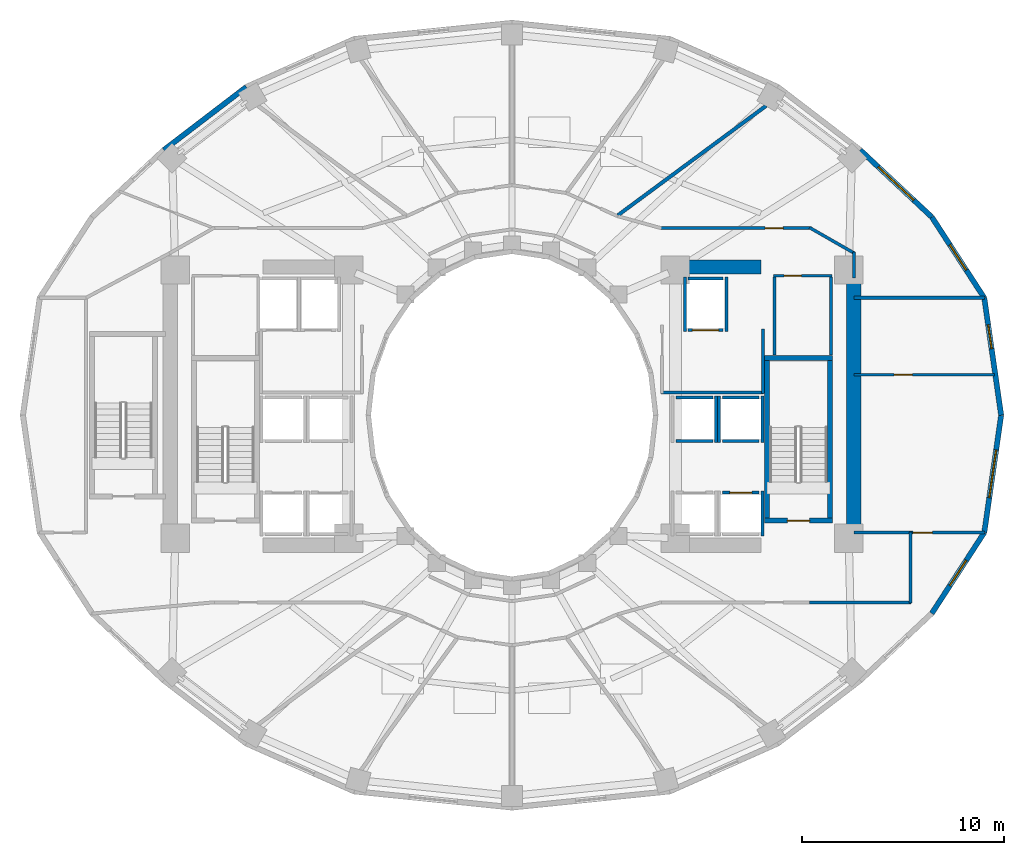
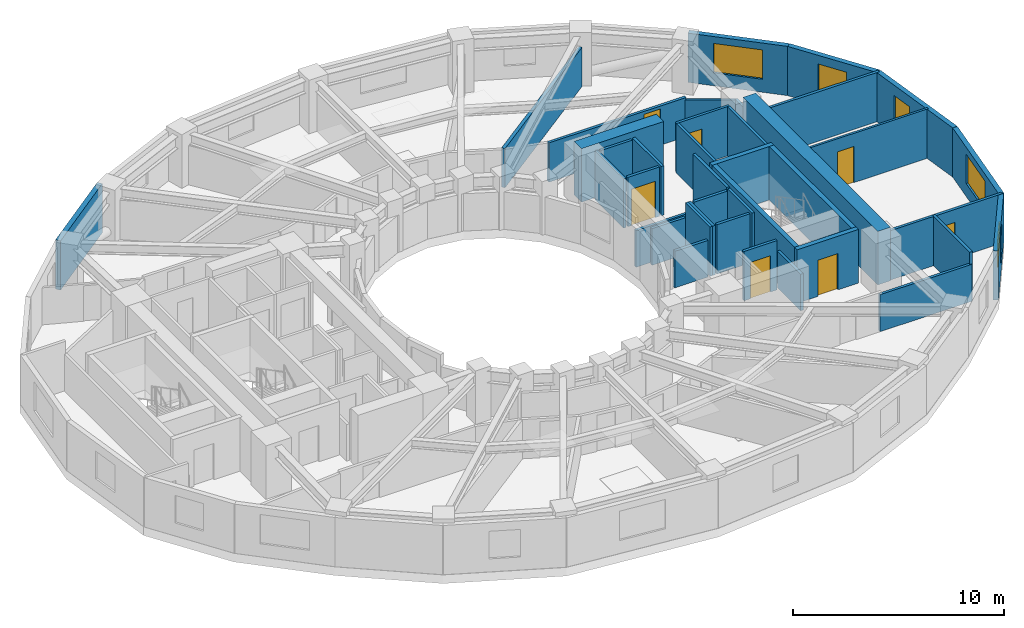
# One storey, part 6 of 9: 39 walls, 7 doors, 5 windows, 12 openings.
"""IFC4 building model written with IfcOpenShell, lengths in metres."""

from ifc_helpers import new_model, si_unit, direction, frame, frame_2d, origin, place, context, subcontext, project, spatial, rectangle, extrude, material, layer, layer_set, type_object, element, fill, save


model = new_model("IFC4")

# Units and contexts
model_context = context("Model", 3, precision=1e-05, world=origin(), true_north=direction((0.0, 1.0)))
body_context = subcontext(model_context, "Body", "Model", "MODEL_VIEW")
ifc_project = project(units=[si_unit("LENGTHUNIT", "METRE"), si_unit("AREAUNIT", "SQUARE_METRE"), si_unit("VOLUMEUNIT", "CUBIC_METRE"), si_unit("PLANEANGLEUNIT", "RADIAN"), si_unit("MASSUNIT", "GRAM", prefix="KILO")], contexts=[model_context])

# Site, building, storey
site_placement = place(None, origin())
site = spatial("IfcSite", under=ifc_project, at=site_placement, CompositionType="ELEMENT")
building_placement = place(site_placement, origin())
building = spatial("IfcBuilding", under=site, at=building_placement, Name="Solvane Sanctuary Tower", CompositionType="ELEMENT")
storey_placement = place(building_placement, frame((0.0, 0.0, 104.199951171875)))
storey = spatial("IfcBuildingStorey", under=building, at=storey_placement, Name="L31", CompositionType="ELEMENT", Elevation=104.199951171875)

# Walls
ifc_material_1 = material(Name="Concrete C60/75", Category="concrete")
ifc_layer_1 = layer(ifc_material_1, 0.699951171875, Name="Concrete C60/75")
ifc_layer_set_1 = layer_set([ifc_layer_1], Name="Concrete C60/75")
wall_type_1 = type_object("IfcWallType", Name="Wall W-CORE-700", PredefinedType="SHEAR", material=ifc_layer_set_1)
wall_1_placement = place(storey_placement, frame((48.949951171875, 17.050048828125, 0.0), z_axis=(0.0, 0.0, 1.0), x_axis=(0.0, 1.0, 0.0)))
element("IfcWall", 1, at=wall_1_placement, inside=storey, type_object=wall_type_1, Name="L31 Core Shear Wall EC-E", PredefinedType="SHEAR", context=body_context, shape_type="SweptSolid", body=[
    extrude(rectangle(XDim=12.800048828125, YDim=0.699951171875, at=frame_2d((6.39990234375, 0.0))), origin(), (0.0, 0.0, 1.0), 3.10009765625),
])
wall_2_placement = place(storey_placement, frame((39.85009765625, 30.35009765625, 0.0), z_axis=(0.0, 0.0, 1.0), x_axis=(1.0, 0.0, 0.0)))
element("IfcWall", 2, at=wall_2_placement, inside=storey, type_object=wall_type_1, Name="L31 Core Shear Wall EC-N", PredefinedType="SHEAR", context=body_context, shape_type="SweptSolid", body=[
    extrude(rectangle(XDim=4.5, YDim=0.699951171875, at=frame_2d((2.25, 0.0))), origin(), (0.0, 0.0, 1.0), 3.10009765625),
])
ifc_material_2 = material(Name="Acoustic Gypsum Partition Board")
ifc_layer_2 = layer(ifc_material_2, 0.14990234375, Name="Acoustic Gypsum Partition Board")
ifc_layer_set_2 = layer_set([ifc_layer_2], Name="Acoustic Gypsum Partition Board")
wall_type_2 = type_object("IfcWallType", Name="Wall W-CORR-150", PredefinedType="PARTITIONING", material=ifc_layer_set_2)
wall_3_placement = place(storey_placement, frame((39.39990234375, 24.1201171875, 0.0), z_axis=(0.0, 0.0, 1.0), x_axis=(1.0, 0.0, 0.0)))
element("IfcWall", 3, at=wall_3_placement, inside=storey, type_object=wall_type_2, Name="L31 East Firefighting Lobby South Wall", PredefinedType="PARTITIONING", context=body_context, shape_type="SweptSolid", body=[
    extrude(rectangle(XDim=5.080078125, YDim=0.14990234375, at=frame_2d((2.5400390625, 0.0))), origin(), (0.0, 0.0, 1.0), 2.1201171875),
])
wall_4_placement = place(storey_placement, frame((44.449951171875, 24.080078125, 0.0), z_axis=(0.0, 0.0, 1.0), x_axis=(0.0, 1.0, 0.0)))
element("IfcWall", 4, at=wall_4_placement, inside=storey, type_object=wall_type_2, Name="L31 East Firefighting Lobby East Wall", PredefinedType="PARTITIONING", context=body_context, shape_type="SweptSolid", body=[
    extrude(rectangle(XDim=3.199951171875, YDim=0.14990234375, at=frame_2d((1.60009765625, 0.0))), origin(), (0.0, 0.0, 1.0), 2.85498046875),
])

# Wall, opening, door
wall_5_placement = place(storey_placement, frame((48.949951171875, 17.1748046875, 0.0), z_axis=(0.0, 0.0, 1.0), x_axis=(1.0, 0.0, 0.0)))
wall_5 = element("IfcWall", 5, at=wall_5_placement, inside=storey, type_object=wall_type_2, Name="L31 East Shoulder South Wall", PredefinedType="PARTITIONING", context=body_context, shape_type="SweptSolid", body=[
    extrude(rectangle(XDim=6.49169921875, YDim=0.14990234375, at=frame_2d((3.245849609375, 0.0))), origin(), (0.0, 0.0, 1.0), 2.85498046875),
])
opening_1_placement = place(wall_5_placement, frame((2.947509765625, 0.0, 0.0)))
opening_1 = element("IfcOpeningElement", 6, at=opening_1_placement, cuts=wall_5, Name="Opening D-L31-08", PredefinedType="OPENING", context=body_context, shape_type="SweptSolid", body=[
    extrude(rectangle(XDim=0.949951171875, YDim=2.10009765625, at=frame_2d((0.47509765625, 1.050048828125))), frame((0.0, 0.0849609375, 0.0), z_axis=(0.0, -1.0, 0.0), x_axis=(1.0, 0.0, 0.0)), (0.0, 0.0, 1.0), 0.169921875),
])
ifc_material_3 = material(Name="Engineered Tropical Hardwood", Category="wood")
door_type_1 = type_object("IfcDoorType", Name="Door D-ROOM-950", OperationType="NOTDEFINED", PredefinedType="DOOR", material=ifc_material_3)
door_1_placement = place(opening_1_placement, origin())
door_1 = element("IfcDoor", 7, at=door_1_placement, inside=storey, type_object=door_type_1, Name="L31 East Shoulder South Door", OperationType="SINGLE_SWING_LEFT", OverallHeight=2.10009765625, OverallWidth=0.949951171875, PredefinedType="DOOR", context=body_context, shape_type="SweptSolid", body=[
    extrude(rectangle(XDim=0.949951171875, YDim=2.10009765625, at=frame_2d((0.47509765625, 1.050048828125))), frame((0.0, 0.02490234375, 0.0), z_axis=(0.0, -1.0, 0.0), x_axis=(1.0, 0.0, 0.0)), (0.0, 0.0, 1.0), 0.050048828125),
])
fill(opening_1, door_1)

# Walls
wall_6_placement = place(storey_placement, frame((48.949951171875, 28.8251953125, 0.0), z_axis=(0.0, 0.0, 1.0), x_axis=(1.0, 0.0, 0.0)))
element("IfcWall", 8, at=wall_6_placement, inside=storey, type_object=wall_type_2, Name="L31 East Shoulder North Wall", PredefinedType="PARTITIONING", context=body_context, shape_type="SweptSolid", body=[
    extrude(rectangle(XDim=6.49169921875, YDim=0.14990234375, at=frame_2d((3.245849609375, 0.0))), origin(), (0.0, 0.0, 1.0), 2.85498046875),
])
wall_7_placement = place(storey_placement, frame((48.949951171875, 29.800048828125, 0.0), z_axis=(0.0, 0.0, 1.0), x_axis=(0.0, 1.0, 0.0)))
element("IfcWall", 9, at=wall_7_placement, inside=storey, type_object=wall_type_2, Name="L31 NE Corner Closer 1", PredefinedType="PARTITIONING", context=body_context, shape_type="SweptSolid", body=[
    extrude(rectangle(XDim=1.2900390625, YDim=0.14990234375, at=frame_2d((0.64501953125, 0.0))), origin(), (0.0, 0.0, 1.0), 2.14208984375),
])

# Wall, opening, door
wall_8_placement = place(storey_placement, frame((39.330078125, 32.280029296875, 0.0), z_axis=(0.0, 0.0, 1.0), x_axis=(1.0, 0.0, 0.0)))
wall_8 = element("IfcWall", 10, at=wall_8_placement, inside=storey, type_object=wall_type_2, Name="L31 NE Corner Corridor Wall", PredefinedType="PARTITIONING", context=body_context, shape_type="SweptSolid", body=[
    extrude(rectangle(XDim=7.52001953125, YDim=0.14990234375, at=frame_2d((3.760009765625, 0.0))), origin(), (0.0, 0.0, 1.0), 2.27197265625),
])
opening_2_placement = place(wall_8_placement, frame((5.219970703125, 0.0, 0.0)))
opening_2 = element("IfcOpeningElement", 11, at=opening_2_placement, cuts=wall_8, Name="Opening D-L31-11", PredefinedType="OPENING", context=body_context, shape_type="SweptSolid", body=[
    extrude(rectangle(XDim=0.89990234375, YDim=2.10009765625, at=frame_2d((0.449951171875, 1.050048828125))), frame((0.0, 0.0849609375, 0.0), z_axis=(0.0, -1.0, 0.0), x_axis=(1.0, 0.0, 0.0)), (0.0, 0.0, 1.0), 0.169921875),
])
door_type_2 = type_object("IfcDoorType", Name="Door D-WET-900", OperationType="NOTDEFINED", PredefinedType="DOOR", material=ifc_material_3)
door_2_placement = place(opening_2_placement, origin())
door_2 = element("IfcDoor", 12, at=door_2_placement, inside=storey, type_object=door_type_2, Name="L31 NE Corner Salon Door", OperationType="SINGLE_SWING_RIGHT", OverallHeight=2.10009765625, OverallWidth=0.89990234375, PredefinedType="DOOR", context=body_context, shape_type="SweptSolid", body=[
    extrude(rectangle(XDim=0.89990234375, YDim=2.10009765625, at=frame_2d((0.449951171875, 1.050048828125))), frame((0.0, 0.02490234375, 0.0), z_axis=(0.0, -1.0, 0.0), x_axis=(1.0, 0.0, 0.0)), (0.0, 0.0, 1.0), 0.050048828125),
])
fill(opening_2, door_2)

# Walls
wall_9_placement = place(storey_placement, frame((46.756591796875, 32.3046875, 0.0), z_axis=(0.0, 0.0, 1.0), x_axis=(0.867991349648, -0.496579315857, 0.0)))
element("IfcWall", 13, at=wall_9_placement, inside=storey, type_object=wall_type_2, Name="L31 NE Corner Wing Wall", PredefinedType="PARTITIONING", context=body_context, shape_type="SweptSolid", body=[
    extrude(rectangle(XDim=2.56689453125, YDim=0.14990234375, at=frame_2d((1.283447265625, 0.0))), origin(), (0.0, 0.0, 1.0), 2.14208984375),
])
wall_10_placement = place(storey_placement, frame((51.760009765625, 13.679931640625, 0.0), z_axis=(0.0, 0.0, 1.0), x_axis=(0.0, 1.0, 0.0)))
element("IfcWall", 14, at=wall_10_placement, inside=storey, type_object=wall_type_2, Name="L31 SE Corner Closer 1", PredefinedType="PARTITIONING", context=body_context, shape_type="SweptSolid", body=[
    extrude(rectangle(XDim=3.534912109375, YDim=0.14990234375, at=frame_2d((1.767578125, 0.0))), origin(), (0.0, 0.0, 1.0), 2.85498046875),
])
wall_11_placement = place(storey_placement, frame((46.75, 13.719970703125, 0.0), z_axis=(0.0, 0.0, 1.0), x_axis=(1.0, 0.0, 0.0)))
element("IfcWall", 15, at=wall_11_placement, inside=storey, type_object=wall_type_2, Name="L31 SE Corner Wing Wall", PredefinedType="PARTITIONING", context=body_context, shape_type="SweptSolid", body=[
    extrude(rectangle(XDim=5.050048828125, YDim=0.14990234375, at=frame_2d((2.52490234375, 0.0))), origin(), (0.0, 0.0, 1.0), 2.14208984375),
])

# Wall, opening, window
ifc_material_4 = material(Name="Precast concrete C40/50", Category="concrete")
ifc_layer_3 = layer(ifc_material_4, 0.260009765625, Name="Precast concrete C40/50")
ifc_layer_set_3 = layer_set([ifc_layer_3], Name="Precast concrete C40/50")
wall_type_3 = type_object("IfcWallType", Name="Wall W-EXT-250", PredefinedType="STANDARD", material=ifc_layer_set_3)
wall_12_placement = place(storey_placement, frame((56.260009765625, 23.0, 0.0), z_axis=(0.0, 0.0, 1.0), x_axis=(-0.142572472068, 0.98978436551, 0.0)))
wall_12 = element("IfcWall", 16, at=wall_12_placement, inside=storey, type_object=wall_type_3, Name="L31 Ceramic-Printed Facade Wall 00", PredefinedType="STANDARD", context=body_context, shape_type="SweptSolid", body=[
    extrude(rectangle(XDim=5.878662109375, YDim=0.260009765625, at=frame_2d((2.939453125, 0.0))), origin(), (0.0, 0.0, 1.0), 2.85009765625),
])
opening_3_placement = place(wall_12_placement, frame((3.32470703125, 0.0, 0.75)))
opening_3 = element("IfcOpeningElement", 17, at=opening_3_placement, cuts=wall_12, Name="Opening WN-OPER-1200", PredefinedType="OPENING", context=body_context, shape_type="SweptSolid", body=[
    extrude(rectangle(XDim=1.199951171875, YDim=1.5, at=frame_2d((0.60009765625, 0.75))), frame((0.0, 0.139892578125, 0.0), z_axis=(0.0, -1.0, 0.0), x_axis=(1.0, 0.0, 0.0)), (0.0, 0.0, 1.0), 0.280029296875),
])
ifc_material_5 = material(Name="Dark Ceramic-Fritted Low-E Glass", Category="glass")
window_type_1 = type_object("IfcWindowType", Name="Window WN-OPER-1200", PartitioningType="SINGLE_PANEL", PredefinedType="WINDOW", material=ifc_material_5)
window_1_placement = place(opening_3_placement, origin())
window_1 = element("IfcWindow", 18, at=window_1_placement, inside=storey, type_object=window_type_1, Name="L31 Operable Facade Window 00", OverallHeight=1.5, OverallWidth=1.199951171875, PartitioningType="SINGLE_PANEL", PredefinedType="WINDOW", context=body_context, shape_type="SweptSolid", body=[
    extrude(rectangle(XDim=1.199951171875, YDim=1.5, at=frame_2d((0.60009765625, 0.75))), frame((0.0, 0.030029296875, 0.0), z_axis=(0.0, -1.0, 0.0), x_axis=(1.0, 0.0, 0.0)), (0.0, 0.0, 1.0), 0.06005859375),
])
fill(opening_3, window_1)

wall_13_placement = place(storey_placement, frame((55.421875, 28.818603515625, 0.0), z_axis=(0.0, 0.0, 1.0), x_axis=(-0.544388392991, 0.838833283541, 0.0)))
wall_13 = element("IfcWall", 19, at=wall_13_placement, inside=storey, type_object=wall_type_3, Name="L31 Ceramic-Printed Facade Wall 01", PredefinedType="STANDARD", context=body_context, shape_type="SweptSolid", body=[
    extrude(rectangle(XDim=4.7783203125, YDim=0.260009765625, at=frame_2d((2.38916015625, 0.0))), origin(), (0.0, 0.0, 1.0), 2.85009765625),
])
opening_4_placement = place(wall_13_placement, frame((1.63916015625, 0.0, 0.75)))
opening_4 = element("IfcOpeningElement", 20, at=opening_4_placement, cuts=wall_13, Name="Opening WN-OPER-1500", PredefinedType="OPENING", context=body_context, shape_type="SweptSolid", body=[
    extrude(rectangle(XDim=1.5, YDim=1.60009765625, at=frame_2d((0.75, 0.800048828125))), frame((0.0, 0.139892578125, 0.0), z_axis=(0.0, -1.0, 0.0), x_axis=(1.0, 0.0, 0.0)), (0.0, 0.0, 1.0), 0.280029296875),
])
window_type_2 = type_object("IfcWindowType", Name="Window WN-OPER-1500", PartitioningType="SINGLE_PANEL", PredefinedType="WINDOW", material=ifc_material_5)
window_2_placement = place(opening_4_placement, origin())
window_2 = element("IfcWindow", 21, at=window_2_placement, inside=storey, type_object=window_type_2, Name="L31 Operable Facade Window 01", OverallHeight=1.60009765625, OverallWidth=1.5, PartitioningType="SINGLE_PANEL", PredefinedType="WINDOW", context=body_context, shape_type="SweptSolid", body=[
    extrude(rectangle(XDim=1.5, YDim=1.60009765625, at=frame_2d((0.75, 0.800048828125))), frame((0.0, 0.030029296875, 0.0), z_axis=(0.0, -1.0, 0.0), x_axis=(1.0, 0.0, 0.0)), (0.0, 0.0, 1.0), 0.06005859375),
])
fill(opening_4, window_2)

wall_14_placement = place(storey_placement, frame((52.820556640625, 32.826904296875, 0.0), z_axis=(0.0, 0.0, 1.0), x_axis=(-0.730162452258, 0.68327358599, 0.0)))
wall_14 = element("IfcWall", 22, at=wall_14_placement, inside=storey, type_object=wall_type_3, Name="L31 Ceramic-Printed Facade Wall 02", PredefinedType="STANDARD", context=body_context, shape_type="SweptSolid", body=[
    extrude(rectangle(XDim=4.868408203125, YDim=0.260009765625, at=frame_2d((2.43408203125, 0.0))), origin(), (0.0, 0.0, 1.0), 2.85009765625),
])
opening_5_placement = place(wall_14_placement, frame((1.234130859375, 0.0, 0.75)))
opening_5 = element("IfcOpeningElement", 23, at=opening_5_placement, cuts=wall_14, Name="Opening WN-RIB-2400", PredefinedType="OPENING", context=body_context, shape_type="SweptSolid", body=[
    extrude(rectangle(XDim=2.39990234375, YDim=1.699951171875, at=frame_2d((1.199951171875, 0.85009765625))), frame((0.0, 0.139892578125, 0.0), z_axis=(0.0, -1.0, 0.0), x_axis=(1.0, 0.0, 0.0)), (0.0, 0.0, 1.0), 0.280029296875),
])
window_type_3 = type_object("IfcWindowType", Name="Window WN-RIB-2400", PartitioningType="SINGLE_PANEL", PredefinedType="WINDOW", material=ifc_material_5)
window_3_placement = place(opening_5_placement, origin())
window_3 = element("IfcWindow", 24, at=window_3_placement, inside=storey, type_object=window_type_3, Name="L31 Operable Facade Window 02", OverallHeight=1.699951171875, OverallWidth=2.39990234375, PartitioningType="SINGLE_PANEL", PredefinedType="WINDOW", context=body_context, shape_type="SweptSolid", body=[
    extrude(rectangle(XDim=2.39990234375, YDim=1.699951171875, at=frame_2d((1.199951171875, 0.85009765625))), frame((0.0, 0.030029296875, 0.0), z_axis=(0.0, -1.0, 0.0), x_axis=(1.0, 0.0, 0.0)), (0.0, 0.0, 1.0), 0.06005859375),
])
fill(opening_5, window_3)

# Wall
wall_15_placement = place(storey_placement, frame((18.82666015625, 39.278076171875, 0.0), z_axis=(0.0, 0.0, 1.0), x_axis=(-0.794809810864, -0.606858603427, 0.0)))
element("IfcWall", 25, at=wall_15_placement, inside=storey, type_object=wall_type_3, Name="L31 Ceramic-Printed Facade Wall 08", PredefinedType="STANDARD", context=body_context, shape_type="SweptSolid", body=[
    extrude(rectangle(XDim=5.149169921875, YDim=0.260009765625, at=frame_2d((2.57470703125, 0.0))), origin(), (0.0, 0.0, 1.0), 2.85009765625),
])

# Wall, opening, window
wall_16_placement = place(storey_placement, frame((52.820556640625, 13.173095703125, 0.0), z_axis=(0.0, 0.0, 1.0), x_axis=(0.544388392991, 0.838833283541, 0.0)))
wall_16 = element("IfcWall", 26, at=wall_16_placement, inside=storey, type_object=wall_type_3, Name="L31 Ceramic-Printed Facade Wall 22", PredefinedType="STANDARD", context=body_context, shape_type="SweptSolid", body=[
    extrude(rectangle(XDim=4.7783203125, YDim=0.260009765625, at=frame_2d((2.38916015625, 0.0))), origin(), (0.0, 0.0, 1.0), 2.85009765625),
])
opening_6_placement = place(wall_16_placement, frame((1.63916015625, 0.0, 0.75)))
opening_6 = element("IfcOpeningElement", 27, at=opening_6_placement, cuts=wall_16, Name="Opening WN-OPER-1500", PredefinedType="OPENING", context=body_context, shape_type="SweptSolid", body=[
    extrude(rectangle(XDim=1.5, YDim=1.60009765625, at=frame_2d((0.75, 0.800048828125))), frame((0.0, 0.139892578125, 0.0), z_axis=(0.0, -1.0, 0.0), x_axis=(1.0, 0.0, 0.0)), (0.0, 0.0, 1.0), 0.280029296875),
])
window_4_placement = place(opening_6_placement, origin())
window_4 = element("IfcWindow", 28, at=window_4_placement, inside=storey, type_object=window_type_2, Name="L31 Operable Facade Window 22", OverallHeight=1.60009765625, OverallWidth=1.5, PartitioningType="SINGLE_PANEL", PredefinedType="WINDOW", context=body_context, shape_type="SweptSolid", body=[
    extrude(rectangle(XDim=1.5, YDim=1.60009765625, at=frame_2d((0.75, 0.800048828125))), frame((0.0, 0.030029296875, 0.0), z_axis=(0.0, -1.0, 0.0), x_axis=(1.0, 0.0, 0.0)), (0.0, 0.0, 1.0), 0.06005859375),
])
fill(opening_6, window_4)

wall_17_placement = place(storey_placement, frame((55.421875, 17.181396484375, 0.0), z_axis=(0.0, 0.0, 1.0), x_axis=(0.142572472068, 0.98978436551, 0.0)))
wall_17 = element("IfcWall", 29, at=wall_17_placement, inside=storey, type_object=wall_type_3, Name="L31 Ceramic-Printed Facade Wall 23", PredefinedType="STANDARD", context=body_context, shape_type="SweptSolid", body=[
    extrude(rectangle(XDim=5.878662109375, YDim=0.260009765625, at=frame_2d((2.939453125, 0.0))), origin(), (0.0, 0.0, 1.0), 2.85009765625),
])
opening_7_placement = place(wall_17_placement, frame((1.739501953125, 0.0, 0.75)))
opening_7 = element("IfcOpeningElement", 30, at=opening_7_placement, cuts=wall_17, Name="Opening WN-RIB-2400", PredefinedType="OPENING", context=body_context, shape_type="SweptSolid", body=[
    extrude(rectangle(XDim=2.39990234375, YDim=1.699951171875, at=frame_2d((1.199951171875, 0.85009765625))), frame((0.0, 0.139892578125, 0.0), z_axis=(0.0, -1.0, 0.0), x_axis=(1.0, 0.0, 0.0)), (0.0, 0.0, 1.0), 0.280029296875),
])
window_5_placement = place(opening_7_placement, origin())
window_5 = element("IfcWindow", 31, at=window_5_placement, inside=storey, type_object=window_type_3, Name="L31 Operable Facade Window 23", OverallHeight=1.699951171875, OverallWidth=2.39990234375, PartitioningType="SINGLE_PANEL", PredefinedType="WINDOW", context=body_context, shape_type="SweptSolid", body=[
    extrude(rectangle(XDim=2.39990234375, YDim=1.699951171875, at=frame_2d((1.199951171875, 0.85009765625))), frame((0.0, 0.030029296875, 0.0), z_axis=(0.0, -1.0, 0.0), x_axis=(1.0, 0.0, 0.0)), (0.0, 0.0, 1.0), 0.06005859375),
])
fill(opening_7, window_5)

# Wall, opening, door
ifc_layer_4 = layer(ifc_material_2, 0.1201171875, Name="Acoustic Gypsum Partition Board")
ifc_layer_set_4 = layer_set([ifc_layer_4], Name="Acoustic Gypsum Partition Board")
wall_type_4 = type_object("IfcWallType", Name="Wall W-MOV-100", PredefinedType="MOVABLE", material=ifc_layer_set_4)
wall_18_placement = place(storey_placement, frame((48.949951171875, 25.0, 0.0), z_axis=(0.0, 0.0, 1.0), x_axis=(1.0, 0.0, 0.0)))
wall_18 = element("IfcWall", 32, at=wall_18_placement, inside=storey, type_object=wall_type_4, Name="L31 East Suite Partition", PredefinedType="MOVABLE", context=body_context, shape_type="SweptSolid", body=[
    extrude(rectangle(XDim=6.982177734375, YDim=0.1201171875, at=frame_2d((3.4912109375, 0.0))), origin(), (0.0, 0.0, 1.0), 2.85498046875),
])
opening_8_placement = place(wall_18_placement, frame((2.0, 0.0, 0.0)))
opening_8 = element("IfcOpeningElement", 33, at=opening_8_placement, cuts=wall_18, Name="Opening D-L31-09", PredefinedType="OPENING", context=body_context, shape_type="SweptSolid", body=[
    extrude(rectangle(XDim=0.89990234375, YDim=2.10009765625, at=frame_2d((0.449951171875, 1.050048828125))), frame((0.0, 0.070068359375, 0.0), z_axis=(0.0, -1.0, 0.0), x_axis=(1.0, 0.0, 0.0)), (0.0, 0.0, 1.0), 0.14013671875),
])
door_3_placement = place(opening_8_placement, origin())
door_3 = element("IfcDoor", 34, at=door_3_placement, inside=storey, type_object=door_type_2, Name="L31 East Suite Internal Door", OperationType="SINGLE_SWING_RIGHT", OverallHeight=2.10009765625, OverallWidth=0.89990234375, PredefinedType="DOOR", context=body_context, shape_type="SweptSolid", body=[
    extrude(rectangle(XDim=0.89990234375, YDim=2.10009765625, at=frame_2d((0.449951171875, 1.050048828125))), frame((0.0, 0.02490234375, 0.0), z_axis=(0.0, -1.0, 0.0), x_axis=(1.0, 0.0, 0.0)), (0.0, 0.0, 1.0), 0.050048828125),
])
fill(opening_8, door_3)

ifc_material_6 = material(Name="Concrete C50/60", Category="concrete")
ifc_layer_5 = layer(ifc_material_6, 0.14990234375, Name="Concrete C50/60")
ifc_layer_set_5 = layer_set([ifc_layer_5], Name="Concrete C50/60")
wall_type_5 = type_object("IfcWallType", Name="Wall W-SHAFT-150", PredefinedType="SOLIDWALL", material=ifc_layer_set_5)
wall_19_placement = place(storey_placement, frame((42.43994140625, 19.159912109375, 0.0), z_axis=(0.0, 0.0, 1.0), x_axis=(1.0, 0.0, 0.0)))
wall_19 = element("IfcWall", 35, at=wall_19_placement, inside=storey, type_object=wall_type_5, Name="L31 PL-4 Lift Shaft Wall F", PredefinedType="SOLIDWALL", context=body_context, shape_type="SweptSolid", body=[
    extrude(rectangle(XDim=1.820068359375, YDim=0.14990234375, at=frame_2d((0.91015625, 0.0))), origin(), (0.0, 0.0, 1.0), 2.85498046875),
])
opening_9_placement = place(wall_19_placement, frame((0.360107421875, 0.0, 0.0)))
opening_9 = element("IfcOpeningElement", 36, at=opening_9_placement, cuts=wall_19, Name="Opening LD-L31-04", PredefinedType="OPENING", context=body_context, shape_type="SweptSolid", body=[
    extrude(rectangle(XDim=1.10009765625, YDim=2.10009765625, at=frame_2d((0.550048828125, 1.050048828125))), frame((0.0, 0.0849609375, 0.0), z_axis=(0.0, -1.0, 0.0), x_axis=(1.0, 0.0, 0.0)), (0.0, 0.0, 1.0), 0.169921875),
])
ifc_material_7 = material(Name="Architectural Stainless Steel 316", Category="steel")
door_type_3 = type_object("IfcDoorType", Name="Door LD-PASS-1100", OperationType="NOTDEFINED", PredefinedType="DOOR", material=ifc_material_7)
door_4_placement = place(opening_9_placement, origin())
door_4 = element("IfcDoor", 37, at=door_4_placement, inside=storey, type_object=door_type_3, Name="L31 PL-4 Lift Landing Door", OperationType="DOUBLE_DOOR_SLIDING", OverallHeight=2.10009765625, OverallWidth=1.10009765625, PredefinedType="DOOR", context=body_context, shape_type="SweptSolid", body=[
    extrude(rectangle(XDim=1.10009765625, YDim=2.10009765625, at=frame_2d((0.550048828125, 1.050048828125))), frame((0.0, 0.02490234375, 0.0), z_axis=(0.0, -1.0, 0.0), x_axis=(1.0, 0.0, 0.0)), (0.0, 0.0, 1.0), 0.050048828125),
])
fill(opening_9, door_4)

# Walls
wall_20_placement = place(storey_placement, frame((44.429931640625, 17.02001953125, 0.0), z_axis=(0.0, 0.0, 1.0), x_axis=(0.0, 1.0, 0.0)))
element("IfcWall", 38, at=wall_20_placement, inside=storey, type_object=wall_type_5, Name="L31 PL-4 Lift Shaft Wall S2", PredefinedType="SOLIDWALL", context=body_context, shape_type="SweptSolid", body=[
    extrude(rectangle(XDim=2.219970703125, YDim=0.14990234375, at=frame_2d((1.10986328125, 0.0))), origin(), (0.0, 0.0, 1.0), 2.1201171875),
])
for number, where, z_axis, x_axis, name in (
    (39, (42.43994140625, 21.719970703125, 0.0), (0.0, 0.0, 1.0), (1.0, 0.0, 0.0), "L31 PM-2 Lift Shaft Wall F"),
    (40, (42.43994140625, 23.8798828125, 0.0), (0.0, 0.0, 1.0), (1.0, 0.0, 0.0), "L31 PM-2 Lift Shaft Wall B"),
):
    element("IfcWall", number, at=place(storey_placement, frame(where, z_axis=z_axis, x_axis=x_axis)), inside=storey, type_object=wall_type_5, Name=name, PredefinedType="SOLIDWALL", context=body_context, shape_type="SweptSolid", body=[
        extrude(rectangle(XDim=1.820068359375, YDim=0.14990234375, at=frame_2d((0.91015625, 0.0))), origin(), (0.0, 0.0, 1.0), 2.85498046875),
    ])
for number, where, z_axis, x_axis, name in (
    (41, (42.27001953125, 21.639892578125, 0.0), (0.0, 0.0, 1.0), (0.0, 1.0, 0.0), "L31 PM-2 Lift Shaft Wall S1"),
    (42, (44.429931640625, 21.639892578125, 0.0), (0.0, 0.0, 1.0), (0.0, 1.0, 0.0), "L31 PM-2 Lift Shaft Wall S2"),
):
    element("IfcWall", number, at=place(storey_placement, frame(where, z_axis=z_axis, x_axis=x_axis)), inside=storey, type_object=wall_type_5, Name=name, PredefinedType="SOLIDWALL", context=body_context, shape_type="SweptSolid", body=[
        extrude(rectangle(XDim=2.320068359375, YDim=0.14990234375, at=frame_2d((1.16015625, 0.0))), origin(), (0.0, 0.0, 1.0), 2.85498046875),
    ])
for number, where, z_axis, x_axis, name in (
    (43, (40.139892578125, 21.719970703125, 0.0), (0.0, 0.0, 1.0), (1.0, 0.0, 0.0), "L31 PH-2 Lift Shaft Wall F"),
    (44, (40.139892578125, 23.8798828125, 0.0), (0.0, 0.0, 1.0), (1.0, 0.0, 0.0), "L31 PH-2 Lift Shaft Wall B"),
):
    element("IfcWall", number, at=place(storey_placement, frame(where, z_axis=z_axis, x_axis=x_axis)), inside=storey, type_object=wall_type_5, Name=name, PredefinedType="SOLIDWALL", context=body_context, shape_type="SweptSolid", body=[
        extrude(rectangle(XDim=1.820068359375, YDim=0.14990234375, at=frame_2d((0.91015625, 0.0))), origin(), (0.0, 0.0, 1.0), 2.1201171875),
    ])
wall_21_placement = place(storey_placement, frame((42.1298828125, 21.639892578125, 0.0), z_axis=(0.0, 0.0, 1.0), x_axis=(0.0, 1.0, 0.0)))
element("IfcWall", 45, at=wall_21_placement, inside=storey, type_object=wall_type_5, Name="L31 PH-2 Lift Shaft Wall S2", PredefinedType="SOLIDWALL", context=body_context, shape_type="SweptSolid", body=[
    extrude(rectangle(XDim=2.320068359375, YDim=0.14990234375, at=frame_2d((1.16015625, 0.0))), origin(), (0.0, 0.0, 1.0), 2.85498046875),
])

# Wall, opening, door
wall_22_placement = place(storey_placement, frame((40.739990234375, 27.219970703125, 0.0), z_axis=(0.0, 0.0, 1.0), x_axis=(1.0, 0.0, 0.0)))
wall_22 = element("IfcWall", 46, at=wall_22_placement, inside=storey, type_object=wall_type_5, Name="L31 FFL-2 Lift Shaft Wall F", PredefinedType="SOLIDWALL", context=body_context, shape_type="SweptSolid", body=[
    extrude(rectangle(XDim=1.719970703125, YDim=0.14990234375, at=frame_2d((0.85986328125, 0.0))), origin(), (0.0, 0.0, 1.0), 2.85498046875),
])
opening_10_placement = place(wall_22_placement, frame((0.2099609375, 0.0, 0.0)))
opening_10 = element("IfcOpeningElement", 47, at=opening_10_placement, cuts=wall_22, Name="Opening LD-L31-07", PredefinedType="OPENING", context=body_context, shape_type="SweptSolid", body=[
    extrude(rectangle(XDim=1.300048828125, YDim=2.10009765625, at=frame_2d((0.64990234375, 1.050048828125))), frame((0.0, 0.0849609375, 0.0), z_axis=(0.0, -1.0, 0.0), x_axis=(1.0, 0.0, 0.0)), (0.0, 0.0, 1.0), 0.169921875),
])
door_type_4 = type_object("IfcDoorType", Name="Door LD-FFL-1300", OperationType="NOTDEFINED", PredefinedType="DOOR", material=ifc_material_7)
door_5_placement = place(opening_10_placement, origin())
door_5 = element("IfcDoor", 48, at=door_5_placement, inside=storey, type_object=door_type_4, Name="L31 FFL-2 Lift Landing Door", OperationType="DOUBLE_DOOR_SLIDING", OverallHeight=2.10009765625, OverallWidth=1.300048828125, PredefinedType="DOOR", context=body_context, shape_type="SweptSolid", body=[
    extrude(rectangle(XDim=1.300048828125, YDim=2.10009765625, at=frame_2d((0.64990234375, 1.050048828125))), frame((0.0, 0.02490234375, 0.0), z_axis=(0.0, -1.0, 0.0), x_axis=(1.0, 0.0, 0.0)), (0.0, 0.0, 1.0), 0.050048828125),
])
fill(opening_10, door_5)

# Walls
wall_23_placement = place(storey_placement, frame((40.739990234375, 29.780029296875, 0.0), z_axis=(0.0, 0.0, 1.0), x_axis=(1.0, 0.0, 0.0)))
element("IfcWall", 49, at=wall_23_placement, inside=storey, type_object=wall_type_5, Name="L31 FFL-2 Lift Shaft Wall B", PredefinedType="SOLIDWALL", context=body_context, shape_type="SweptSolid", body=[
    extrude(rectangle(XDim=1.719970703125, YDim=0.14990234375, at=frame_2d((0.85986328125, 0.0))), origin(), (0.0, 0.0, 1.0), 2.85498046875),
])
for number, where, z_axis, x_axis, name in (
    (50, (40.570068359375, 27.139892578125, 0.0), (0.0, 0.0, 1.0), (0.0, 1.0, 0.0), "L31 FFL-2 Lift Shaft Wall S1"),
    (51, (42.6298828125, 27.139892578125, 0.0), (0.0, 0.0, 1.0), (0.0, 1.0, 0.0), "L31 FFL-2 Lift Shaft Wall S2"),
):
    element("IfcWall", number, at=place(storey_placement, frame(where, z_axis=z_axis, x_axis=x_axis)), inside=storey, type_object=wall_type_5, Name=name, PredefinedType="SOLIDWALL", context=body_context, shape_type="SweptSolid", body=[
        extrude(rectangle(XDim=2.72021484375, YDim=0.14990234375, at=frame_2d((1.360107421875, 0.0))), origin(), (0.0, 0.0, 1.0), 2.85498046875),
    ])

# Wall, opening, door
ifc_layer_6 = layer(ifc_material_6, 0.25, Name="Concrete C50/60")
ifc_layer_set_6 = layer_set([ifc_layer_6], Name="Concrete C50/60")
wall_type_6 = type_object("IfcWallType", Name="Wall W-SHAFT-250", PredefinedType="SOLIDWALL", material=ifc_layer_set_6)
wall_24_placement = place(storey_placement, frame((44.52490234375, 17.77001953125, 0.0), z_axis=(0.0, 0.0, 1.0), x_axis=(1.0, 0.0, 0.0)))
wall_24 = element("IfcWall", 52, at=wall_24_placement, inside=storey, type_object=wall_type_6, Name="L31 ST-2 Load-Bearing Shaft Wall S", PredefinedType="SOLIDWALL", context=body_context, shape_type="SweptSolid", body=[
    extrude(rectangle(XDim=3.3701171875, YDim=0.25, at=frame_2d((1.68505859375, 0.0))), origin(), (0.0, 0.0, 1.0), 3.10009765625),
])
opening_11_placement = place(wall_24_placement, frame((1.135009765625, 0.0, 0.0)))
opening_11 = element("IfcOpeningElement", 53, at=opening_11_placement, cuts=wall_24, Name="Opening D-L31-02", PredefinedType="OPENING", context=body_context, shape_type="SweptSolid", body=[
    extrude(rectangle(XDim=1.10009765625, YDim=2.10009765625, at=frame_2d((0.550048828125, 1.050048828125))), frame((0.0, 0.135009765625, 0.0), z_axis=(0.0, -1.0, 0.0), x_axis=(1.0, 0.0, 0.0)), (0.0, 0.0, 1.0), 0.27001953125),
])
door_type_5 = type_object("IfcDoorType", Name="Door D-STAIR", OperationType="NOTDEFINED", PredefinedType="DOOR", material=ifc_material_7)
door_6_placement = place(opening_11_placement, origin())
door_6 = element("IfcDoor", 54, at=door_6_placement, inside=storey, type_object=door_type_5, Name="L31 ST-2 Exit Stair Fire Door", OperationType="SINGLE_SWING_RIGHT", OverallHeight=2.10009765625, OverallWidth=1.10009765625, PredefinedType="DOOR", context=body_context, shape_type="SweptSolid", body=[
    extrude(rectangle(XDim=1.10009765625, YDim=2.10009765625, at=frame_2d((0.550048828125, 1.050048828125))), frame((0.0, 0.02490234375, 0.0), z_axis=(0.0, -1.0, 0.0), x_axis=(1.0, 0.0, 0.0)), (0.0, 0.0, 1.0), 0.050048828125),
])
fill(opening_11, door_6)

# Walls
wall_25_placement = place(storey_placement, frame((44.52490234375, 25.830078125, 0.0), z_axis=(0.0, 0.0, 1.0), x_axis=(1.0, 0.0, 0.0)))
element("IfcWall", 55, at=wall_25_placement, inside=storey, type_object=wall_type_6, Name="L31 ST-2 Load-Bearing Shaft Wall N", PredefinedType="SOLIDWALL", context=body_context, shape_type="SweptSolid", body=[
    extrude(rectangle(XDim=3.3701171875, YDim=0.25, at=frame_2d((1.68505859375, 0.0))), origin(), (0.0, 0.0, 1.0), 3.10009765625),
])
for number, where, z_axis, x_axis, name in (
    (56, (44.64990234375, 17.89501953125, 0.0), (0.0, 0.0, 1.0), (0.0, 1.0, 0.0), "L31 ST-2 Load-Bearing Shaft Wall W"),
    (57, (47.77001953125, 17.89501953125, 0.0), (0.0, 0.0, 1.0), (0.0, 1.0, 0.0), "L31 ST-2 Load-Bearing Shaft Wall E"),
):
    element("IfcWall", number, at=place(storey_placement, frame(where, z_axis=z_axis, x_axis=x_axis)), inside=storey, type_object=wall_type_6, Name=name, PredefinedType="SOLIDWALL", context=body_context, shape_type="SweptSolid", body=[
        extrude(rectangle(XDim=7.81005859375, YDim=0.25, at=frame_2d((3.905029296875, 0.0))), origin(), (0.0, 0.0, 1.0), 3.10009765625),
    ])
ifc_layer_7 = layer(ifc_material_2, 0.179931640625, Name="Acoustic Gypsum Partition Board")
ifc_layer_set_7 = layer_set([ifc_layer_7], Name="Acoustic Gypsum Partition Board")
wall_type_7 = type_object("IfcWallType", Name="Wall W-UNIT-180", PredefinedType="PARTITIONING", material=ifc_layer_set_7)
wall_26_placement = place(storey_placement, frame((37.249267578125, 32.9140625, 0.0), z_axis=(0.0, 0.0, 1.0), x_axis=(0.80430981394, 0.594210167533, 0.0)))
element("IfcWall", 58, at=wall_26_placement, inside=storey, type_object=wall_type_7, Name="L31 Radial Compartment Wall 060", PredefinedType="PARTITIONING", context=body_context, shape_type="SweptSolid", body=[
    extrude(rectangle(XDim=9.146240234375, YDim=0.179931640625, at=frame_2d((4.5732421875, 0.0))), origin(), (0.0, 0.0, 1.0), 2.27197265625),
])

# Wall, opening, door
ifc_layer_8 = layer(ifc_material_2, 0.139892578125, Name="Acoustic Gypsum Partition Board")
ifc_layer_set_8 = layer_set([ifc_layer_8], Name="Acoustic Gypsum Partition Board")
wall_type_8 = type_object("IfcWallType", Name="Wall W-WET-140", PredefinedType="PLUMBINGWALL", material=ifc_layer_set_8)
wall_27_placement = place(storey_placement, frame((44.97998046875, 29.919921875, 0.0), z_axis=(0.0, 0.0, 1.0), x_axis=(1.0, 0.0, 0.0)))
wall_27 = element("IfcWall", 59, at=wall_27_placement, inside=storey, type_object=wall_type_8, Name="L31 Core Service Front Wall KE0", PredefinedType="PLUMBINGWALL", context=body_context, shape_type="SweptSolid", body=[
    extrude(rectangle(XDim=2.89990234375, YDim=0.139892578125, at=frame_2d((1.449951171875, 0.0))), origin(), (0.0, 0.0, 1.0), 2.85498046875),
])
opening_12_placement = place(wall_27_placement, frame((0.515869140625, 0.0, 0.0)))
opening_12 = element("IfcOpeningElement", 60, at=opening_12_placement, cuts=wall_27, Name="Opening D-L31-07", PredefinedType="OPENING", context=body_context, shape_type="SweptSolid", body=[
    extrude(rectangle(XDim=0.85009765625, YDim=2.050048828125, at=frame_2d((0.425048828125, 1.02490234375))), frame((0.0, 0.079833984375, 0.0), z_axis=(0.0, -1.0, 0.0), x_axis=(1.0, 0.0, 0.0)), (0.0, 0.0, 1.0), 0.159912109375),
])
door_type_6 = type_object("IfcDoorType", Name="Door D-RISER", OperationType="NOTDEFINED", PredefinedType="DOOR", material=ifc_material_7)
door_7_placement = place(opening_12_placement, origin())
door_7 = element("IfcDoor", 61, at=door_7_placement, inside=storey, type_object=door_type_6, Name="L31 Core Service Room Door KE0-1", OperationType="SINGLE_SWING_RIGHT", OverallHeight=2.050048828125, OverallWidth=0.85009765625, PredefinedType="DOOR", context=body_context, shape_type="SweptSolid", body=[
    extrude(rectangle(XDim=0.85009765625, YDim=2.050048828125, at=frame_2d((0.425048828125, 1.02490234375))), frame((0.0, 0.02490234375, 0.0), z_axis=(0.0, -1.0, 0.0), x_axis=(1.0, 0.0, 0.0)), (0.0, 0.0, 1.0), 0.050048828125),
])
fill(opening_12, door_7)

# Walls
for number, where, z_axis, x_axis, name in (
    (62, (45.02001953125, 25.97998046875, 0.0), (0.0, 0.0, 1.0), (0.0, 1.0, 0.0), "L31 Core Service Side Wall KE0-1"),
    (63, (47.820068359375, 25.97998046875, 0.0), (0.0, 0.0, 1.0), (0.0, 1.0, 0.0), "L31 Core Service Side Wall KE0-2"),
):
    element("IfcWall", number, at=place(storey_placement, frame(where, z_axis=z_axis, x_axis=x_axis)), inside=storey, type_object=wall_type_8, Name=name, PredefinedType="PLUMBINGWALL", context=body_context, shape_type="SweptSolid", body=[
        extrude(rectangle(XDim=3.880126953125, YDim=0.139892578125, at=frame_2d((1.93994140625, 0.0))), origin(), (0.0, 0.0, 1.0), 2.85498046875),
    ])

save(model, "model.ifc")
